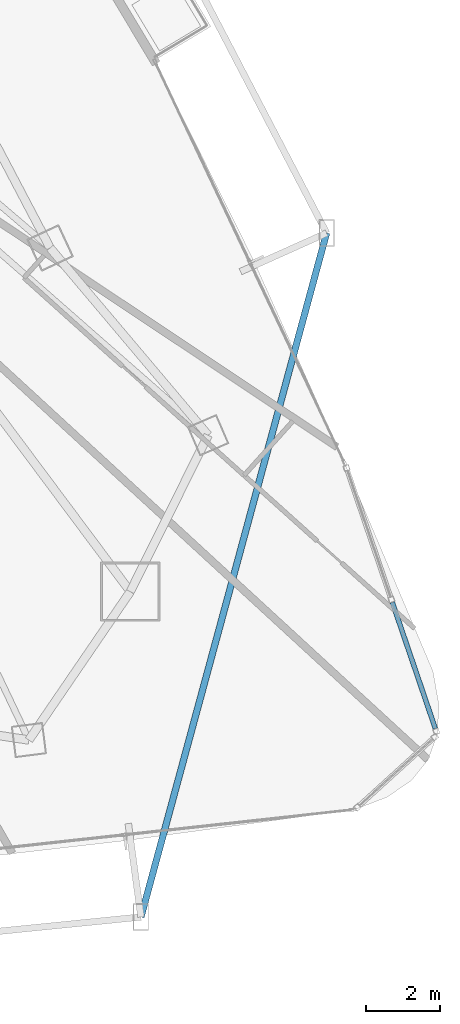
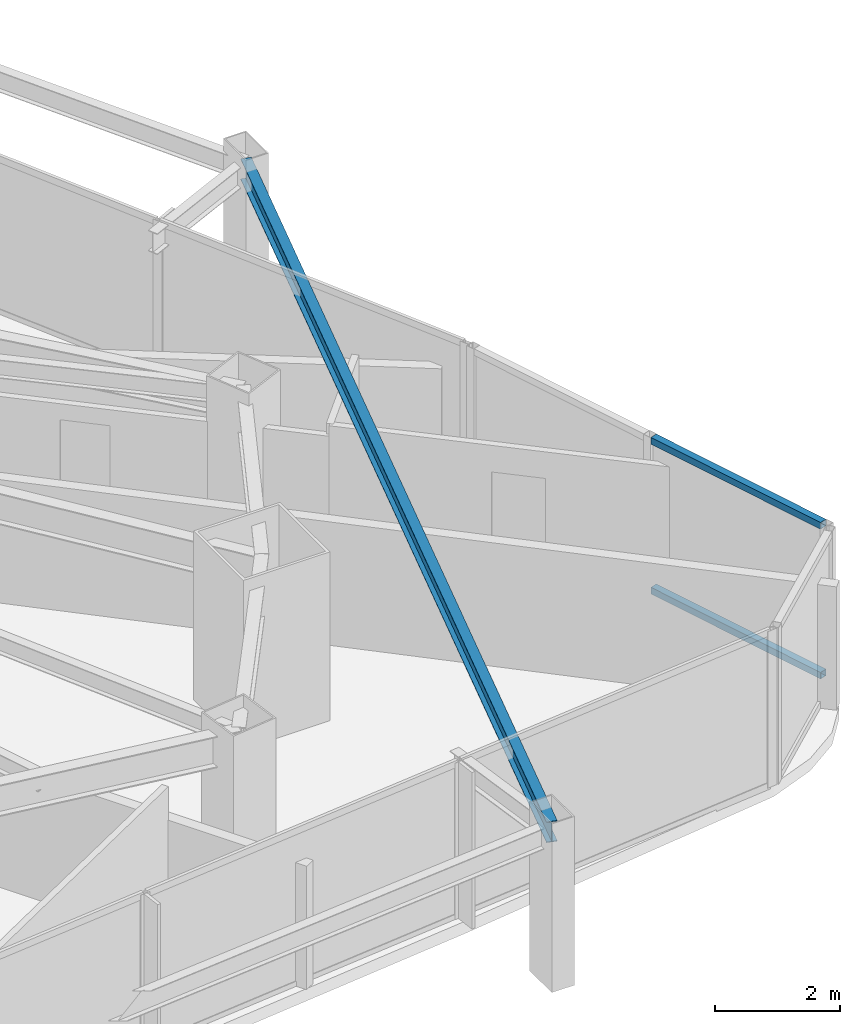
# One storey, part 14 of 33: 2 members, 1 beam, 1 element without a shape of its own.
"""IFC4 building model written with IfcOpenShell, lengths in metres."""

from ifc_helpers import new_model, si_unit, direction, frame, origin, origin_2d, place, context, subcontext, project, spatial, hollow_rectangle, i_section, extrude, material, layer, layer_set, material_profile, profile_set, type_object, element, aggregate, save


model = new_model("IFC4")

# Units and contexts
model_context = context("Model", 3, precision=1e-05, world=origin(), true_north=direction((0.0, 1.0)))
body_context = subcontext(model_context, "Body", "Model", "MODEL_VIEW")
ifc_project = project(units=[si_unit("LENGTHUNIT", "METRE"), si_unit("AREAUNIT", "SQUARE_METRE"), si_unit("VOLUMEUNIT", "CUBIC_METRE"), si_unit("PLANEANGLEUNIT", "RADIAN"), si_unit("MASSUNIT", "GRAM", prefix="KILO")], contexts=[model_context])

# Site, building, storey
site_placement = place(None, origin())
site = spatial("IfcSite", under=ifc_project, at=site_placement, CompositionType="ELEMENT")
building_placement = place(site_placement, origin())
building = spatial("IfcBuilding", under=site, at=building_placement, Name="Orvanel Arch Residences", CompositionType="ELEMENT")
storey_placement = place(building_placement, frame((0.0, 0.0, 90.64990234375)))
storey = spatial("IfcBuildingStorey", under=building, at=storey_placement, Name="L25", CompositionType="ELEMENT", Elevation=90.64990234375)

# Beam
ifc_material_1 = material(Name="Structural steel AS/NZS 3679.1 Grade 300 (300 MPa)", Category="steel")
ifc_material_profile_1 = material_profile(ifc_material_1, i_section(OverallWidth=0.177978515625, OverallDepth=0.406005859375, WebThickness=0.0078125, FlangeThickness=0.0126953125, at=origin_2d()), Name="410UB59.7")
ifc_profile_set_1 = profile_set([ifc_material_profile_1], Name="Structural steel AS/NZS 3679.1 Grade 300 (300 MPa)")
beam_type = type_object("IfcBeamType", Name="OB-410UB-EXT", PredefinedType="SPANDREL", material=ifc_profile_set_1)
beam_placement = place(storey_placement, frame((52.089111328125, 1.554931640625, 2.857177734375), z_axis=(0.261941985066, 0.965083621486, 0.0), x_axis=(-0.965083621486, 0.261941985066, 0.0)))
element("IfcBeam", 1, at=beam_placement, inside=storey, type_object=beam_type, Name="L25 Outer Perimeter Floor Ring Beam 08", PredefinedType="SPANDREL", context=body_context, shape_type="SweptSolid", body=[
    extrude(i_section(OverallWidth=0.177978515625, OverallDepth=0.406005859375, WebThickness=0.0078125, FlangeThickness=0.0126953125, at=origin_2d()), origin(), (0.0, 0.0, 1.0), 19.159912109375),
])

# Curtain wall, members
ifc_material_2 = material(Name="Bronze-anodised aluminium AA6063-T6", Category="aluminium")
ifc_layer = layer(ifc_material_2, 0.18994140625)
ifc_layer_set = layer_set([ifc_layer], Name="Bronze-anodised aluminium AA6063-T6")
curtain_wall_type = type_object("IfcCurtainWallType", Name="CW5-CRN-SYS", PredefinedType="NOTDEFINED", material=ifc_layer_set)
curtain_wall_placement = place(storey_placement, origin())
curtain_wall = element("IfcCurtainWall", 2, at=curtain_wall_placement, inside=storey, type_object=curtain_wall_type, Name="L25 CW5-CRN-SYS Unitised Curtain Wall", PredefinedType="NOTDEFINED")
ifc_material_profile_2 = material_profile(ifc_material_2, hollow_rectangle(XDim=0.1298828125, YDim=0.1298828125, WallThickness=0.00439453125, at=origin_2d()), Name="ALU130x130x4.5")
ifc_profile_set_2 = profile_set([ifc_material_profile_2], Name="Bronze-anodised aluminium AA6063-T6")
member_type = type_object("IfcMemberType", Name="TRN-130x130", PredefinedType="USERDEFINED", material=ifc_profile_set_2)
member_1_placement = place(storey_placement, frame((60.047607421875, 6.64599609375, 0.065185546875), z_axis=(-0.322406874767, 0.946601186933, 0.0), x_axis=(-0.946601186933, -0.322406874767, 0.0)))
member_1 = element("IfcMember", 3, at=member_1_placement, type_object=member_type, Name="CW-S5 transom 1.1", ObjectType="TRANSOM", PredefinedType="USERDEFINED", context=body_context, shape_type="SweptSolid", body=[
    extrude(hollow_rectangle(XDim=0.1298828125, YDim=0.1298828125, WallThickness=0.00439453125, at=origin_2d()), origin(), (0.0, 0.0, 1.0), 3.611328125),
])
member_2_placement = place(storey_placement, frame((60.047607421875, 6.64599609375, 2.9951171875), z_axis=(-0.322406874767, 0.946601186933, 0.0), x_axis=(-0.946601186933, -0.322406874767, 0.0)))
member_2 = element("IfcMember", 4, at=member_2_placement, type_object=member_type, Name="CW-S5 transom 1.2", ObjectType="TRANSOM", PredefinedType="USERDEFINED", context=body_context, shape_type="SweptSolid", body=[
    extrude(hollow_rectangle(XDim=0.1298828125, YDim=0.1298828125, WallThickness=0.00439453125, at=origin_2d()), origin(), (0.0, 0.0, 1.0), 3.611328125),
])
aggregate(curtain_wall, [member_1, member_2])

save(model, "model.ifc")
